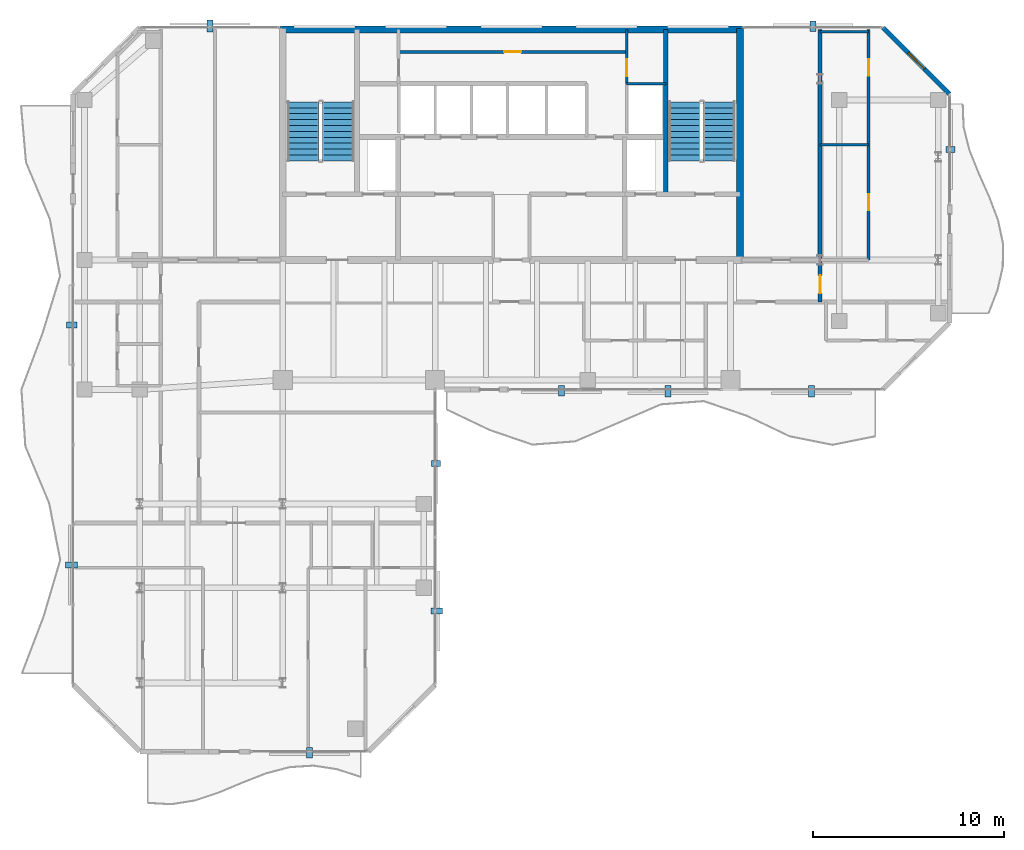
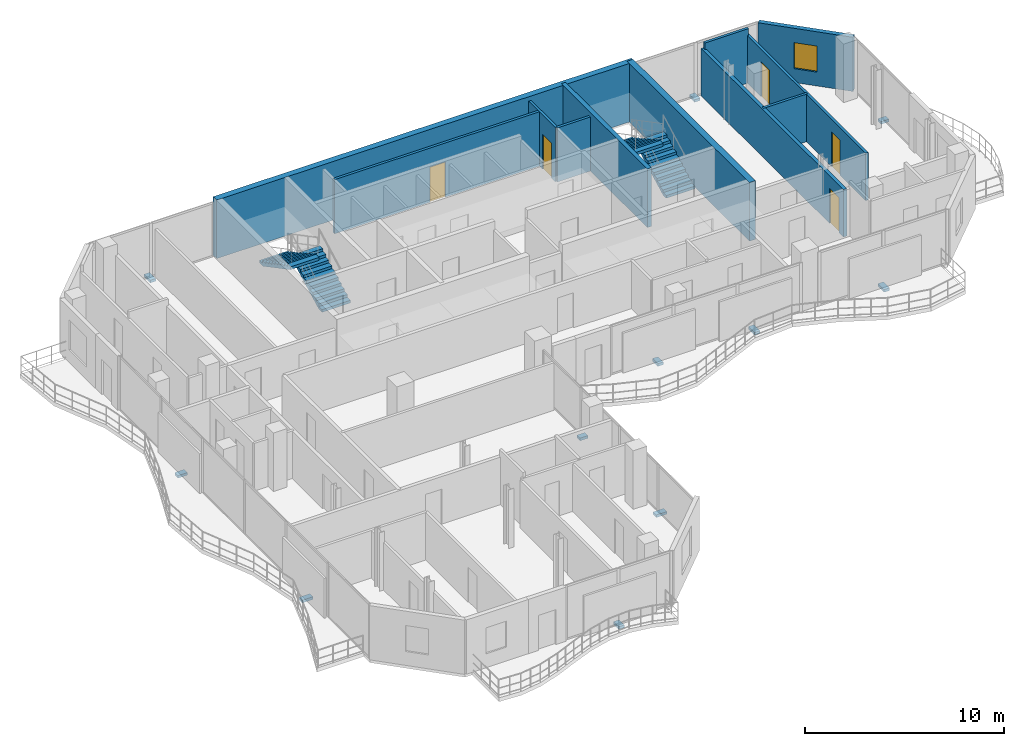
# One storey, part 20 of 23: 11 discrete accessories, 11 walls, 5 doors, 4 stair flights, 1 window, 6 openings, 2 elements without a shape of their own.
"""IFC4 building model written with IfcOpenShell, lengths in metres."""

from ifc_helpers import new_model, si_unit, direction, frame, frame_2d, origin, origin_2d, place, context, subcontext, project, spatial, polyline, rectangle, outline, extrude, material, layer, layer_set, type_object, element, fill, aggregate, save


model = new_model("IFC4")

# Units and contexts
model_context = context("Model", 3, precision=1e-05, world=origin(), true_north=direction((0.0, 1.0)))
body_context = subcontext(model_context, "Body", "Model", "MODEL_VIEW")
ifc_project = project(units=[si_unit("LENGTHUNIT", "METRE"), si_unit("AREAUNIT", "SQUARE_METRE"), si_unit("VOLUMEUNIT", "CUBIC_METRE"), si_unit("PLANEANGLEUNIT", "RADIAN"), si_unit("MASSUNIT", "GRAM", prefix="KILO")], contexts=[model_context])

# Site, building, storey
site_placement = place(None, origin())
site = spatial("IfcSite", under=ifc_project, at=site_placement, CompositionType="ELEMENT")
building_placement = place(site_placement, origin())
building = spatial("IfcBuilding", under=site, at=building_placement, Name="Catumbela Crestline Tower", CompositionType="ELEMENT")
storey_placement = place(building_placement, frame((0.0, 0.0, 186.6)))
storey = spatial("IfcBuildingStorey", under=building, at=storey_placement, Name="L48", CompositionType="ELEMENT", Elevation=186.6)

# Walls
ifc_material_1 = material(Name="Concrete C50/60", Category="concrete")
ifc_layer_1 = layer(ifc_material_1, 0.25, Name="Concrete C50/60")
ifc_layer_set_1 = layer_set([ifc_layer_1], Name="Concrete C50/60")
wall_type_1 = type_object("IfcWallType", Name="CW-250D", PredefinedType="SHEAR", material=ifc_layer_set_1)
wall_1_placement = place(storey_placement, frame((36.1, 34.25, 0.0), z_axis=(0.0, 0.0, 1.0), x_axis=(0.0, 1.0, 0.0)))
element("IfcWall", 1, at=wall_1_placement, inside=storey, type_object=wall_type_1, Name="L48 Structural Core Shear Wall EWEB", PredefinedType="SHEAR", context=body_context, shape_type="SweptSolid", body=[
    extrude(rectangle(XDim=8.65, YDim=0.25, at=frame_2d((4.325, 0.0))), origin(), (0.0, 0.0, 1.0), 3.6),
])
ifc_layer_2 = layer(ifc_material_1, 0.35, Name="Concrete C50/60")
ifc_layer_set_2 = layer_set([ifc_layer_2], Name="Concrete C50/60")
wall_type_2 = type_object("IfcWallType", Name="CW-350B", PredefinedType="SHEAR", material=ifc_layer_set_2)
wall_2_placement = place(storey_placement, frame((40.0, 30.65, 0.0), z_axis=(0.0, 0.0, 1.0), x_axis=(0.0, 1.0, 0.0)))
element("IfcWall", 2, at=wall_2_placement, inside=storey, type_object=wall_type_2, Name="L48 Structural Core Shear Wall E", PredefinedType="SHEAR", context=body_context, shape_type="SweptSolid", body=[
    extrude(rectangle(XDim=12.3, YDim=0.35, at=frame_2d((6.15, 0.0))), origin(), (0.0, 0.0, 1.0), 3.6),
])
ifc_layer_3 = layer(ifc_material_1, 0.35, Name="Concrete C50/60")
ifc_layer_set_3 = layer_set([ifc_layer_3], Name="Concrete C50/60")
wall_type_3 = type_object("IfcWallType", Name="CW-350E", PredefinedType="SHEAR", material=ifc_layer_set_3)
wall_3_placement = place(storey_placement, frame((15.85, 42.9, 0.0), z_axis=(0.0, 0.0, 1.0), x_axis=(1.0, 0.0, 0.0)))
element("IfcWall", 3, at=wall_3_placement, inside=storey, type_object=wall_type_3, Name="L48 Structural Core Shear Wall N", PredefinedType="SHEAR", context=body_context, shape_type="SweptSolid", body=[
    extrude(rectangle(XDim=24.3, YDim=0.35, at=frame_2d((12.15, 0.0))), origin(), (0.0, 0.0, 1.0), 3.6),
])

# Wall, opening, door
ifc_material_2 = material(Name="Acoustic gypsum and mineral-wool partition")
ifc_layer_4 = layer(ifc_material_2, 0.2, Name="Acoustic gypsum and mineral-wool partition")
ifc_layer_set_4 = layer_set([ifc_layer_4], Name="Acoustic gypsum and mineral-wool partition")
wall_type_4 = type_object("IfcWallType", Name="WC-200", PredefinedType="PARTITIONING", material=ifc_layer_set_4)
wall_4_placement = place(storey_placement, frame((44.2, 28.6, 0.0), z_axis=(0.0, 0.0, 1.0), x_axis=(0.0, 1.0, 0.0)))
wall_4 = element("IfcWall", 4, at=wall_4_placement, inside=storey, type_object=wall_type_4, Name="L48 Interior Partition PW-L48-NE1-ENT", PredefinedType="PARTITIONING", context=body_context, shape_type="SweptSolid", body=[
    extrude(rectangle(XDim=14.3, YDim=0.2, at=frame_2d((7.15, 0.0))), origin(), (0.0, 0.0, 1.0), 2.92),
])
opening_1_placement = place(wall_4_placement, frame((0.445, 0.0, 0.0)))
opening_1 = element("IfcOpeningElement", 5, at=opening_1_placement, cuts=wall_4, Name="Opening DF6-095", PredefinedType="OPENING", context=body_context, shape_type="SweptSolid", body=[
    extrude(rectangle(XDim=0.95, YDim=2.15, at=frame_2d((0.475, 1.075))), frame((0.0, 0.11, 0.0), z_axis=(0.0, -1.0, 0.0), x_axis=(1.0, 0.0, 0.0)), (0.0, 0.0, 1.0), 0.22),
])
ifc_material_3 = material(Name="Aluminium alloy AW-6060-T66", Category="aluminium")
door_type_1 = type_object("IfcDoorType", Name="DF6-095", OperationType="NOTDEFINED", PredefinedType="DOOR", material=ifc_material_3)
door_1_placement = place(opening_1_placement, origin())
door_1 = element("IfcDoor", 6, at=door_1_placement, inside=storey, type_object=door_type_1, Name="L48 Interior Door DR-L48-NE1-ENT", OperationType="SINGLE_SWING_LEFT", OverallHeight=2.15, OverallWidth=0.95, PredefinedType="DOOR", context=body_context, shape_type="SweptSolid", body=[
    extrude(rectangle(XDim=0.95, YDim=2.15, at=frame_2d((0.475, 1.075))), frame((0.0, 0.025, 0.0), z_axis=(0.0, -1.0, 0.0), x_axis=(1.0, 0.0, 0.0)), (0.0, 0.0, 1.0), 0.05),
])
fill(opening_1, door_1)

# Wall, opening, window
ifc_material_4 = material(Name="Angolan grey-ochre granite", Category="masonry")
ifc_layer_5 = layer(ifc_material_4, 0.25, Name="Angolan grey-ochre granite")
ifc_layer_set_5 = layer_set([ifc_layer_5], Name="Angolan grey-ochre granite")
wall_type_5 = type_object("IfcWallType", Name="WE-250", PredefinedType="STANDARD", material=ifc_layer_set_5)
wall_5_placement = place(storey_placement, frame((51.0, 39.5, 0.0), z_axis=(0.0, 0.0, 1.0), x_axis=(-0.707106781187, 0.707106781187, 0.0)))
wall_5 = element("IfcWall", 7, at=wall_5_placement, inside=storey, type_object=wall_type_5, Name="L48 Granite Punched Window Wall 6-1", PredefinedType="STANDARD", context=body_context, shape_type="SweptSolid", body=[
    extrude(rectangle(XDim=4.9497, YDim=0.25, at=frame_2d((2.4748, 0.0))), origin(), (0.0, 0.0, 1.0), 3.33),
])
opening_2_placement = place(wall_5_placement, frame((1.8748, 0.0, 0.85)))
opening_2 = element("IfcOpeningElement", 8, at=opening_2_placement, cuts=wall_5, Name="Opening WN-02", PredefinedType="OPENING", context=body_context, shape_type="SweptSolid", body=[
    extrude(rectangle(XDim=1.2, YDim=1.6, at=frame_2d((0.6, 0.8))), frame((0.0, 0.135, 0.0), z_axis=(0.0, -1.0, 0.0), x_axis=(1.0, 0.0, 0.0)), (0.0, 0.0, 1.0), 0.27),
])
ifc_material_5 = material(Name="Low-E laminated solar-control double glazing", Category="glass")
window_type = type_object("IfcWindowType", Name="WO-1200", PartitioningType="SINGLE_PANEL", PredefinedType="WINDOW", material=ifc_material_5)
window_placement = place(opening_2_placement, origin())
window = element("IfcWindow", 9, at=window_placement, inside=storey, type_object=window_type, Name="L48 Facade Vision Window 308", OverallHeight=1.6, OverallWidth=1.2, PartitioningType="SINGLE_PANEL", PredefinedType="WINDOW", context=body_context, shape_type="SweptSolid", body=[
    extrude(rectangle(XDim=1.2, YDim=1.6, at=frame_2d((0.6, 0.8))), frame((0.0, 0.03, 0.0), z_axis=(0.0, -1.0, 0.0), x_axis=(1.0, 0.0, 0.0)), (0.0, 0.0, 1.0), 0.06),
])
fill(opening_2, window)

# Wall
ifc_layer_6 = layer(ifc_material_2, 0.15, Name="Acoustic gypsum and mineral-wool partition")
ifc_layer_set_6 = layer_set([ifc_layer_6], Name="Acoustic gypsum and mineral-wool partition")
wall_type_6 = type_object("IfcWallType", Name="WP-150", PredefinedType="PARTITIONING", material=ifc_layer_set_6)
wall_6_placement = place(storey_placement, frame((34.05, 40.05, 0.0), z_axis=(0.0, 0.0, 1.0), x_axis=(1.0, 0.0, 0.0)))
element("IfcWall", 10, at=wall_6_placement, inside=storey, type_object=wall_type_6, Name="L48 Interior Partition PW-L48-CR-ES", PredefinedType="PARTITIONING", context=body_context, shape_type="SweptSolid", body=[
    extrude(rectangle(XDim=2.05, YDim=0.15, at=frame_2d((1.025, 0.0))), origin(), (0.0, 0.0, 1.0), 3.33),
])

# Wall, opening, door
wall_7_placement = place(storey_placement, frame((34.05, 40.05, 0.0), z_axis=(0.0, 0.0, 1.0), x_axis=(0.0, 1.0, 0.0)))
wall_7 = element("IfcWall", 11, at=wall_7_placement, inside=storey, type_object=wall_type_6, Name="L48 Interior Partition PW-L48-CR-EW", PredefinedType="PARTITIONING", context=body_context, shape_type="SweptSolid", body=[
    extrude(rectangle(XDim=2.85, YDim=0.15, at=frame_2d((1.425, 0.0))), origin(), (0.0, 0.0, 1.0), 3.33),
])
opening_3_placement = place(wall_7_placement, frame((0.385, 0.0, 0.0)))
opening_3 = element("IfcOpeningElement", 12, at=opening_3_placement, cuts=wall_7, Name="Opening DF9-090", PredefinedType="OPENING", context=body_context, shape_type="SweptSolid", body=[
    extrude(rectangle(XDim=0.9, YDim=2.15, at=frame_2d((0.45, 1.075))), frame((0.0, 0.085, 0.0), z_axis=(0.0, -1.0, 0.0), x_axis=(1.0, 0.0, 0.0)), (0.0, 0.0, 1.0), 0.17),
])
ifc_material_6 = material(Name="Stainless steel EN 1.4401", Category="steel")
door_type_2 = type_object("IfcDoorType", Name="DF9-090", OperationType="NOTDEFINED", PredefinedType="DOOR", material=ifc_material_6)
door_2_placement = place(opening_3_placement, origin())
door_2 = element("IfcDoor", 13, at=door_2_placement, inside=storey, type_object=door_type_2, Name="L48 Interior Door DR-L48-CREAST", OperationType="SINGLE_SWING_RIGHT", OverallHeight=2.15, OverallWidth=0.9, PredefinedType="DOOR", context=body_context, shape_type="SweptSolid", body=[
    extrude(rectangle(XDim=0.9, YDim=2.15, at=frame_2d((0.45, 1.075))), frame((0.0, 0.025, 0.0), z_axis=(0.0, -1.0, 0.0), x_axis=(1.0, 0.0, 0.0)), (0.0, 0.0, 1.0), 0.05),
])
fill(opening_3, door_2)

wall_8_placement = place(storey_placement, frame((22.08, 41.72, 0.0), z_axis=(0.0, 0.0, 1.0), x_axis=(1.0, 0.0, 0.0)))
wall_8 = element("IfcWall", 14, at=wall_8_placement, inside=storey, type_object=wall_type_6, Name="L48 Interior Partition PW-L48-CR-MID", PredefinedType="PARTITIONING", context=body_context, shape_type="SweptSolid", body=[
    extrude(rectangle(XDim=11.97, YDim=0.15, at=frame_2d((5.985, 0.0))), origin(), (0.0, 0.0, 1.0), 3.33),
])
opening_4_placement = place(wall_8_placement, frame((5.535, 0.0, 0.0)))
opening_4 = element("IfcOpeningElement", 15, at=opening_4_placement, cuts=wall_8, Name="Opening DF9-090", PredefinedType="OPENING", context=body_context, shape_type="SweptSolid", body=[
    extrude(rectangle(XDim=0.9, YDim=2.15, at=frame_2d((0.45, 1.075))), frame((0.0, 0.085, 0.0), z_axis=(0.0, -1.0, 0.0), x_axis=(1.0, 0.0, 0.0)), (0.0, 0.0, 1.0), 0.17),
])
door_3_placement = place(opening_4_placement, origin())
door_3 = element("IfcDoor", 16, at=door_3_placement, inside=storey, type_object=door_type_2, Name="L48 Interior Door DR-L48-CRMID", OperationType="SINGLE_SWING_LEFT", OverallHeight=2.15, OverallWidth=0.9, PredefinedType="DOOR", context=body_context, shape_type="SweptSolid", body=[
    extrude(rectangle(XDim=0.9, YDim=2.15, at=frame_2d((0.45, 1.075))), frame((0.0, 0.025, 0.0), z_axis=(0.0, -1.0, 0.0), x_axis=(1.0, 0.0, 0.0)), (0.0, 0.0, 1.0), 0.05),
])
fill(opening_4, door_3)

# Wall
wall_9_placement = place(storey_placement, frame((44.2, 36.85, 0.0), z_axis=(0.0, 0.0, 1.0), x_axis=(1.0, 0.0, 0.0)))
element("IfcWall", 17, at=wall_9_placement, inside=storey, type_object=wall_type_6, Name="L48 Interior Partition PW-L48-NE1-KBM", PredefinedType="PARTITIONING", context=body_context, shape_type="SweptSolid", body=[
    extrude(rectangle(XDim=2.546, YDim=0.15, at=frame_2d((1.273, 0.0))), origin(), (0.0, 0.0, 1.0), 2.92),
])

# Wall, openings, doors
wall_10_placement = place(storey_placement, frame((46.746, 30.8, 0.0), z_axis=(0.0, 0.0, 1.0), x_axis=(0.0, 1.0, 0.0)))
wall_10 = element("IfcWall", 18, at=wall_10_placement, inside=storey, type_object=wall_type_6, Name="L48 Interior Partition PW-L48-NE1-SK1", PredefinedType="PARTITIONING", context=body_context, shape_type="SweptSolid", body=[
    extrude(rectangle(XDim=12.1, YDim=0.15, at=frame_2d((6.05, 0.0))), origin(), (0.0, 0.0, 1.0), 2.92),
])
opening_5_placement = place(wall_10_placement, frame((2.6, 0.0, 0.0)))
opening_5 = element("IfcOpeningElement", 19, at=opening_5_placement, cuts=wall_10, Name="Opening DI-085", PredefinedType="OPENING", context=body_context, shape_type="SweptSolid", body=[
    extrude(rectangle(XDim=0.85, YDim=2.15, at=frame_2d((0.425, 1.075))), frame((0.0, 0.085, 0.0), z_axis=(0.0, -1.0, 0.0), x_axis=(1.0, 0.0, 0.0)), (0.0, 0.0, 1.0), 0.17),
])
opening_6_placement = place(wall_10_placement, frame((9.6823, 0.0, 0.0)))
opening_6 = element("IfcOpeningElement", 20, at=opening_6_placement, cuts=wall_10, Name="Opening DI-085", PredefinedType="OPENING", context=body_context, shape_type="SweptSolid", body=[
    extrude(rectangle(XDim=0.85, YDim=2.15, at=frame_2d((0.425, 1.075))), frame((0.0, 0.085, 0.0), z_axis=(0.0, -1.0, 0.0), x_axis=(1.0, 0.0, 0.0)), (0.0, 0.0, 1.0), 0.17),
])
door_type_3 = type_object("IfcDoorType", Name="DI-085", OperationType="NOTDEFINED", PredefinedType="DOOR", material=ifc_material_3)
door_4_placement = place(opening_5_placement, origin())
door_4 = element("IfcDoor", 21, at=door_4_placement, inside=storey, type_object=door_type_3, Name="L48 Interior Door DR-L48-NE1-KIT", OperationType="SINGLE_SWING_LEFT", OverallHeight=2.15, OverallWidth=0.85, PredefinedType="DOOR", context=body_context, shape_type="SweptSolid", body=[
    extrude(rectangle(XDim=0.85, YDim=2.15, at=frame_2d((0.425, 1.075))), frame((0.0, 0.025, 0.0), z_axis=(0.0, -1.0, 0.0), x_axis=(1.0, 0.0, 0.0)), (0.0, 0.0, 1.0), 0.05),
])
fill(opening_5, door_4)
door_5_placement = place(opening_6_placement, origin())
door_5 = element("IfcDoor", 22, at=door_5_placement, inside=storey, type_object=door_type_3, Name="L48 Interior Door DR-L48-NE1-BTH", OperationType="SINGLE_SWING_RIGHT", OverallHeight=2.15, OverallWidth=0.85, PredefinedType="DOOR", context=body_context, shape_type="SweptSolid", body=[
    extrude(rectangle(XDim=0.85, YDim=2.15, at=frame_2d((0.425, 1.075))), frame((0.0, 0.025, 0.0), z_axis=(0.0, -1.0, 0.0), x_axis=(1.0, 0.0, 0.0)), (0.0, 0.0, 1.0), 0.05),
])
fill(opening_6, door_5)

# Wall
wall_11_placement = place(storey_placement, frame((44.2, 42.78, 0.0), z_axis=(0.0, 0.0, 1.0), x_axis=(1.0, 0.0, 0.0)))
element("IfcWall", 23, at=wall_11_placement, inside=storey, type_object=wall_type_6, Name="L48 Interior Partition PW-L48-NE1-BTH-BCL-2", PredefinedType="PARTITIONING", context=body_context, shape_type="SweptSolid", body=[
    extrude(rectangle(XDim=2.546, YDim=0.15, at=frame_2d((1.273, 0.0))), origin(), (0.0, 0.0, 1.0), 3.33),
])

# Stair, stair flights
ifc_material_7 = material(Name="Concrete C45/55", Category="concrete")
stair_type = type_object("IfcStairType", Name="ST-DLG", PredefinedType="HALF_TURN_STAIR", material=ifc_material_7)
stair_1_placement = place(storey_placement, origin())
stair_1 = element("IfcStair", 24, at=stair_1_placement, inside=storey, type_object=stair_type, Name="L48 West Core Pressurised Exit Stair ST-01", PredefinedType="HALF_TURN_STAIR")
stair_flight_type = type_object("IfcStairFlightType", Name="SF-1636", PredefinedType="STRAIGHT", material=ifc_material_7)
stair_flight_1_placement = place(storey_placement, frame((18.92, 36.0, 0.0), z_axis=(0.0, 0.0, 1.0), x_axis=(0.0, 1.0, 0.0)))
stair_flight_1 = element("IfcStairFlight", 25, at=stair_flight_1_placement, type_object=stair_flight_type, Name="ST-01 flight 1", NumberOfRisers=11, NumberOfTreads=10, PredefinedType="STRAIGHT", RiserHeight=0.163636364, TreadLength=0.31, context=body_context, shape_type="SweptSolid", body=[
    extrude(outline(polyline([(0.0, 0.0), (0.0, 0.1636), (0.31, 0.1636), (0.31, 0.3273), (0.62, 0.3273), (0.62, 0.4909), (0.93, 0.4909), (0.93, 0.6545), (1.24, 0.6545), (1.24, 0.8182), (1.55, 0.8182), (1.55, 0.9818), (1.86, 0.9818), (1.86, 1.1455), (2.17, 1.1455), (2.17, 1.3091), (2.48, 1.3091), (2.48, 1.4727), (2.79, 1.4727), (2.79, 1.6364), (3.1, 1.6364), (3.1, 1.8), (3.1, 1.4554), (0.3427, 0.0), (0.0, 0.0)])), frame((0.0, 0.83, 0.0), z_axis=(0.0, -1.0, 0.0), x_axis=(1.0, 0.0, 0.0)), (0.0, 0.0, 1.0), 1.66),
])
stair_flight_2_placement = place(storey_placement, frame((17.08, 39.1, 1.8), z_axis=(0.0, 0.0, 1.0), x_axis=(0.0, -1.0, 0.0)))
stair_flight_2 = element("IfcStairFlight", 26, at=stair_flight_2_placement, type_object=stair_flight_type, Name="ST-01 flight 2", NumberOfRisers=11, NumberOfTreads=10, PredefinedType="STRAIGHT", RiserHeight=0.163636364, TreadLength=0.31, context=body_context, shape_type="SweptSolid", body=[
    extrude(outline(polyline([(0.0, 0.0), (0.0, 0.1636), (0.31, 0.1636), (0.31, 0.3273), (0.62, 0.3273), (0.62, 0.4909), (0.93, 0.4909), (0.93, 0.6545), (1.24, 0.6545), (1.24, 0.8182), (1.55, 0.8182), (1.55, 0.9818), (1.86, 0.9818), (1.86, 1.1455), (2.17, 1.1455), (2.17, 1.3091), (2.48, 1.3091), (2.48, 1.4727), (2.79, 1.4727), (2.79, 1.6364), (3.1, 1.6364), (3.1, 1.8), (3.1, 1.4554), (0.3427, 0.0), (0.0, 0.0)])), frame((0.0, 0.83, 0.0), z_axis=(0.0, -1.0, 0.0), x_axis=(1.0, 0.0, 0.0)), (0.0, 0.0, 1.0), 1.66),
])
aggregate(stair_1, [stair_flight_1, stair_flight_2])

stair_2_placement = place(storey_placement, origin())
stair_2 = element("IfcStair", 27, at=stair_2_placement, inside=storey, type_object=stair_type, Name="L48 East Core Pressurised Exit Stair ST-02", PredefinedType="HALF_TURN_STAIR")
stair_flight_3_placement = place(storey_placement, frame((38.92, 36.0, 0.0), z_axis=(0.0, 0.0, 1.0), x_axis=(0.0, 1.0, 0.0)))
stair_flight_3 = element("IfcStairFlight", 28, at=stair_flight_3_placement, type_object=stair_flight_type, Name="ST-02 flight 1", NumberOfRisers=11, NumberOfTreads=10, PredefinedType="STRAIGHT", RiserHeight=0.163636364, TreadLength=0.31, context=body_context, shape_type="SweptSolid", body=[
    extrude(outline(polyline([(0.0, 0.0), (0.0, 0.1636), (0.31, 0.1636), (0.31, 0.3273), (0.62, 0.3273), (0.62, 0.4909), (0.93, 0.4909), (0.93, 0.6545), (1.24, 0.6545), (1.24, 0.8182), (1.55, 0.8182), (1.55, 0.9818), (1.86, 0.9818), (1.86, 1.1455), (2.17, 1.1455), (2.17, 1.3091), (2.48, 1.3091), (2.48, 1.4727), (2.79, 1.4727), (2.79, 1.6364), (3.1, 1.6364), (3.1, 1.8), (3.1, 1.4554), (0.3427, 0.0), (0.0, 0.0)])), frame((0.0, 0.83, 0.0), z_axis=(0.0, -1.0, 0.0), x_axis=(1.0, 0.0, 0.0)), (0.0, 0.0, 1.0), 1.66),
])
stair_flight_4_placement = place(storey_placement, frame((37.08, 39.1, 1.8), z_axis=(0.0, 0.0, 1.0), x_axis=(0.0, -1.0, 0.0)))
stair_flight_4 = element("IfcStairFlight", 29, at=stair_flight_4_placement, type_object=stair_flight_type, Name="ST-02 flight 2", NumberOfRisers=11, NumberOfTreads=10, PredefinedType="STRAIGHT", RiserHeight=0.163636364, TreadLength=0.31, context=body_context, shape_type="SweptSolid", body=[
    extrude(outline(polyline([(0.0, 0.0), (0.0, 0.1636), (0.31, 0.1636), (0.31, 0.3273), (0.62, 0.3273), (0.62, 0.4909), (0.93, 0.4909), (0.93, 0.6545), (1.24, 0.6545), (1.24, 0.8182), (1.55, 0.8182), (1.55, 0.9818), (1.86, 0.9818), (1.86, 1.1455), (2.17, 1.1455), (2.17, 1.3091), (2.48, 1.3091), (2.48, 1.4727), (2.79, 1.4727), (2.79, 1.6364), (3.1, 1.6364), (3.1, 1.8), (3.1, 1.4554), (0.3427, 0.0), (0.0, 0.0)])), frame((0.0, 0.83, 0.0), z_axis=(0.0, -1.0, 0.0), x_axis=(1.0, 0.0, 0.0)), (0.0, 0.0, 1.0), 1.66),
])
aggregate(stair_2, [stair_flight_3, stair_flight_4])

# Discrete accessories
discrete_accessory_type = type_object("IfcDiscreteAccessoryType", Name="BK-SS1", PredefinedType="BRACKET", material=ifc_material_6)
discrete_accessory_1_placement = place(storey_placement, frame((17.4, 4.935, -0.18), z_axis=(0.0, 0.0, 1.0), x_axis=(1.0, 0.0, 0.0)))
element("IfcDiscreteAccessory", 30, at=discrete_accessory_1_placement, inside=storey, type_object=discrete_accessory_type, Name="L48 Solar Screen Stainless Bracket 560", PredefinedType="BRACKET", context=body_context, shape_type="SweptSolid", body=[
    extrude(rectangle(XDim=0.32, YDim=0.54, at=origin_2d()), origin(), (0.0, 0.0, 1.0), 0.16),
])
discrete_accessory_2_placement = place(storey_placement, frame((24.085, 12.375, -0.18), z_axis=(0.0, 0.0, 1.0), x_axis=(0.0, 1.0, 0.0)))
element("IfcDiscreteAccessory", 31, at=discrete_accessory_2_placement, inside=storey, type_object=discrete_accessory_type, Name="L48 Solar Screen Stainless Bracket 561", PredefinedType="BRACKET", context=body_context, shape_type="SweptSolid", body=[
    extrude(rectangle(XDim=0.32, YDim=0.62, at=origin_2d()), origin(), (0.0, 0.0, 1.0), 0.16),
])
discrete_accessory_3_placement = place(storey_placement, frame((24.045, 20.125, -0.18), z_axis=(0.0, 0.0, 1.0), x_axis=(0.0, 1.0, 0.0)))
element("IfcDiscreteAccessory", 32, at=discrete_accessory_3_placement, inside=storey, type_object=discrete_accessory_type, Name="L48 Solar Screen Stainless Bracket 562", PredefinedType="BRACKET", context=body_context, shape_type="SweptSolid", body=[
    extrude(rectangle(XDim=0.32, YDim=0.46, at=origin_2d()), origin(), (0.0, 0.0, 1.0), 0.16),
])
discrete_accessory_4_placement = place(storey_placement, frame((30.6375, 23.935, -0.18), z_axis=(0.0, 0.0, 1.0), x_axis=(1.0, 0.0, 0.0)))
element("IfcDiscreteAccessory", 33, at=discrete_accessory_4_placement, inside=storey, type_object=discrete_accessory_type, Name="L48 Solar Screen Stainless Bracket 563", PredefinedType="BRACKET", context=body_context, shape_type="SweptSolid", body=[
    extrude(rectangle(XDim=0.32, YDim=0.54, at=origin_2d()), origin(), (0.0, 0.0, 1.0), 0.16),
])
for number, where, z_axis, x_axis, name in (
    (34, (36.2125, 23.915, -0.18), (0.0, 0.0, 1.0), (1.0, 0.0, 0.0), "L48 Solar Screen Stainless Bracket 564"),
    (35, (43.75, 23.915, -0.18), (0.0, 0.0, 1.0), (1.0, 0.0, 0.0), "L48 Solar Screen Stainless Bracket 565"),
):
    element("IfcDiscreteAccessory", number, at=place(storey_placement, frame(where, z_axis=z_axis, x_axis=x_axis)), inside=storey, type_object=discrete_accessory_type, Name=name, PredefinedType="BRACKET", context=body_context, shape_type="SweptSolid", body=[
        extrude(rectangle(XDim=0.32, YDim=0.62, at=origin_2d()), origin(), (0.0, 0.0, 1.0), 0.16),
    ])
discrete_accessory_5_placement = place(storey_placement, frame((51.045, 36.6, -0.18), z_axis=(0.0, 0.0, 1.0), x_axis=(0.0, 1.0, 0.0)))
element("IfcDiscreteAccessory", 36, at=discrete_accessory_5_placement, inside=storey, type_object=discrete_accessory_type, Name="L48 Solar Screen Stainless Bracket 566", PredefinedType="BRACKET", context=body_context, shape_type="SweptSolid", body=[
    extrude(rectangle(XDim=0.32, YDim=0.46, at=origin_2d()), origin(), (0.0, 0.0, 1.0), 0.16),
])
discrete_accessory_6_placement = place(storey_placement, frame((43.82, 43.065, -0.18), z_axis=(0.0, 0.0, 1.0), x_axis=(-1.0, 0.0, 0.0)))
element("IfcDiscreteAccessory", 37, at=discrete_accessory_6_placement, inside=storey, type_object=discrete_accessory_type, Name="L48 Solar Screen Stainless Bracket 567", PredefinedType="BRACKET", context=body_context, shape_type="SweptSolid", body=[
    extrude(rectangle(XDim=0.32, YDim=0.54, at=origin_2d()), origin(), (0.0, 0.0, 1.0), 0.16),
])
discrete_accessory_7_placement = place(storey_placement, frame((12.18, 43.085, -0.18), z_axis=(0.0, 0.0, 1.0), x_axis=(-1.0, 0.0, 0.0)))
element("IfcDiscreteAccessory", 38, at=discrete_accessory_7_placement, inside=storey, type_object=discrete_accessory_type, Name="L48 Solar Screen Stainless Bracket 568", PredefinedType="BRACKET", context=body_context, shape_type="SweptSolid", body=[
    extrude(rectangle(XDim=0.32, YDim=0.62, at=origin_2d()), origin(), (0.0, 0.0, 1.0), 0.16),
])
discrete_accessory_8_placement = place(storey_placement, frame((4.935, 27.4, -0.18), z_axis=(0.0, 0.0, 1.0), x_axis=(0.0, -1.0, 0.0)))
element("IfcDiscreteAccessory", 39, at=discrete_accessory_8_placement, inside=storey, type_object=discrete_accessory_type, Name="L48 Solar Screen Stainless Bracket 569", PredefinedType="BRACKET", context=body_context, shape_type="SweptSolid", body=[
    extrude(rectangle(XDim=0.32, YDim=0.54, at=origin_2d()), origin(), (0.0, 0.0, 1.0), 0.16),
])
discrete_accessory_9_placement = place(storey_placement, frame((4.915, 14.8, -0.18), z_axis=(0.0, 0.0, 1.0), x_axis=(0.0, -1.0, 0.0)))
element("IfcDiscreteAccessory", 40, at=discrete_accessory_9_placement, inside=storey, type_object=discrete_accessory_type, Name="L48 Solar Screen Stainless Bracket 570", PredefinedType="BRACKET", context=body_context, shape_type="SweptSolid", body=[
    extrude(rectangle(XDim=0.32, YDim=0.62, at=origin_2d()), origin(), (0.0, 0.0, 1.0), 0.16),
])

save(model, "model.ifc")
